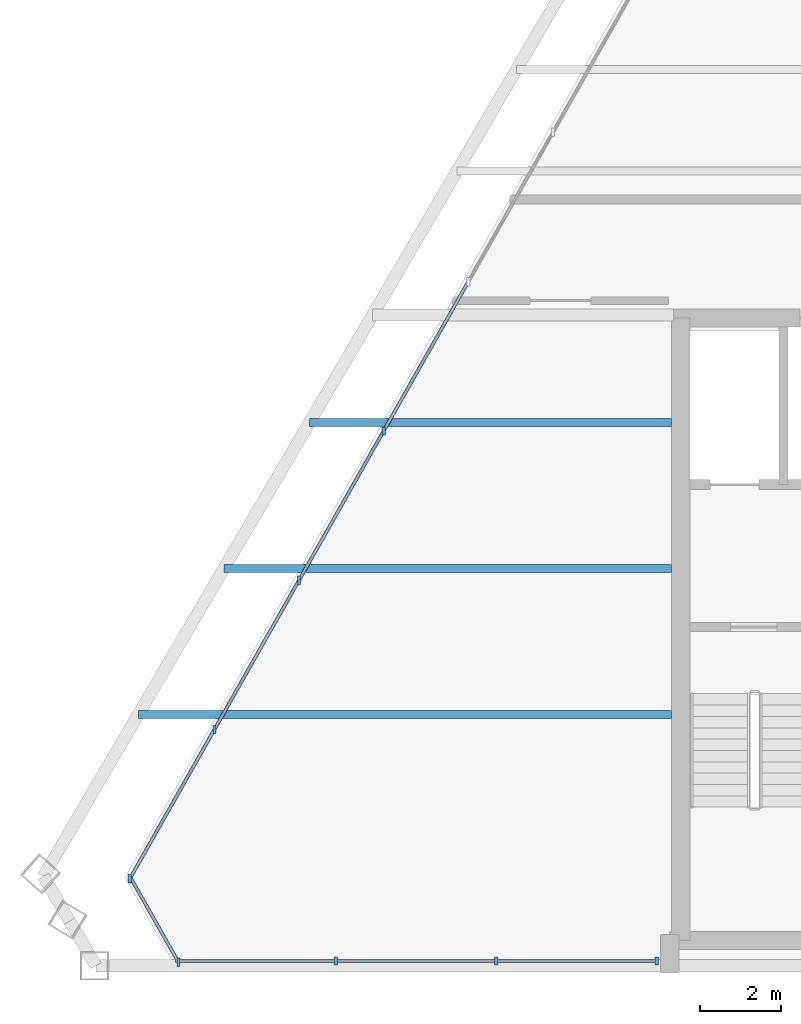
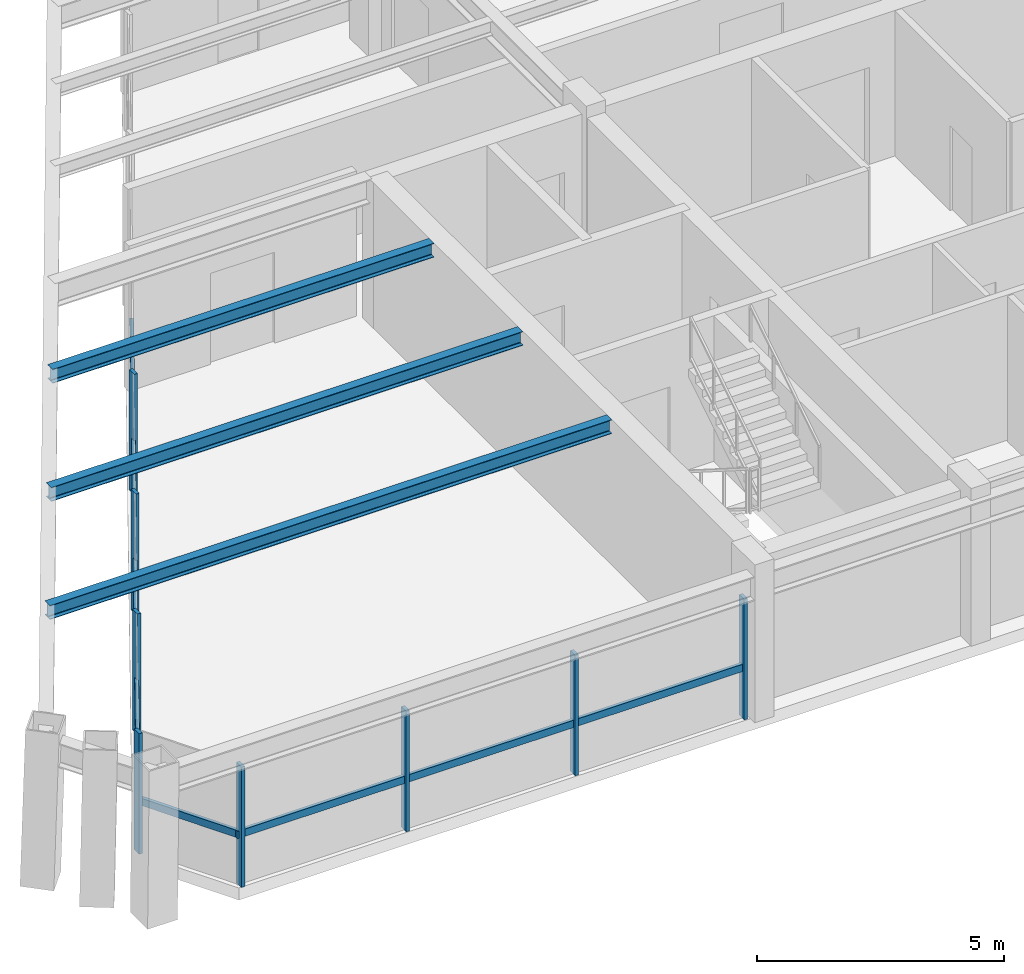
# One storey, part 2 of 12: 16 members, 3 beams, 3 elements without a shape of their own.
"""IFC4 building model written with IfcOpenShell, lengths in metres."""

import ifcopenshell
import ifcopenshell.guid

model = None  # the IFC model being written
_history = None  # IfcOwnerHistory: only IFC2X3 demands one
_inside = {}  # id of a spatial element -> (the spatial element, [elements in it])
_under = {}  # id of a project, library or spatial element -> (it, [spatial elements below it])
_declared = {}  # id of a project -> (the project, [libraries it declares])
_typed = {}  # id of a type object -> (the type object, [elements of that type])
_made_of = {}  # id of a material, layer set ... -> (it, [elements and type objects made of it])


def new_model(schema):
    """Start an empty IFC model of exactly this schema.

    Asked for "IFC4X3", IfcOpenShell would pick the latest addendum, in which some entities
    have other attributes; the version numbers below select the first issue.
    IFC2X3 requires an IfcOwnerHistory on every rooted entity: one is made here for all.
    """
    global model, _history
    if schema == "IFC4X3":
        model = ifcopenshell.file(schema_version=(4, 3, 0, 0))
    else:
        model = ifcopenshell.file(schema=schema)
    _inside.clear()
    _under.clear()
    _declared.clear()
    _typed.clear()
    _made_of.clear()
    _history = None
    if model.schema == "IFC2X3":
        org = make("IfcOrganization", Name="unknown")
        user = make(
            "IfcPersonAndOrganization",
            ThePerson=make("IfcPerson", FamilyName="unknown"),
            TheOrganization=org,
        )
        app = make(
            "IfcApplication",
            ApplicationDeveloper=org,
            Version="unknown",
            ApplicationFullName="unknown",
            ApplicationIdentifier="unknown",
        )
        _history = make(
            "IfcOwnerHistory",
            OwningUser=user,
            OwningApplication=app,
            ChangeAction="ADDED",
            CreationDate=0,
        )
    return model


def make(cls, **values):
    """One entity of the class cls with the attributes given. An attribute that is None is left unset."""
    return model.create_entity(
        cls, **{name: value for name, value in values.items() if value is not None}
    )


def rooted(cls, **values):
    """An entity with a GlobalId (a new one), such as an element, a storey or a relation."""
    return make(cls, GlobalId=ifcopenshell.guid.new(), OwnerHistory=_history, **values)


def si_unit(unit_type, name, prefix=None):
    """IfcSIUnit, for example si_unit("LENGTHUNIT", "METRE", prefix="MILLI")."""
    return make("IfcSIUnit", UnitType=unit_type, Prefix=prefix, Name=name)


def assignment(units):
    """IfcUnitAssignment: the units of a project."""
    return None if units is None else make("IfcUnitAssignment", Units=units)


def point(xyz):
    """IfcCartesianPoint."""
    return None if xyz is None else make("IfcCartesianPoint", Coordinates=xyz)


def direction(xyz):
    """IfcDirection."""
    return None if xyz is None else make("IfcDirection", DirectionRatios=xyz)


def frame(location, z_axis=None, x_axis=None):
    """IfcAxis2Placement3D, a coordinate frame: its origin and axes. An axis left out is left unset."""
    return make(
        "IfcAxis2Placement3D",
        Location=point(location),
        Axis=direction(z_axis),
        RefDirection=direction(x_axis),
    )


def frame_2d(location, x_axis=None):
    """IfcAxis2Placement2D, a coordinate frame in the plane: its origin and x axis."""
    return make(
        "IfcAxis2Placement2D", Location=point(location), RefDirection=direction(x_axis)
    )


def origin():
    """The frame at (0, 0, 0) with its axes left unset."""
    return frame((0.0, 0.0, 0.0))


def origin_2d():
    """The frame at (0, 0) in the plane with its x axis left unset."""
    return frame_2d((0.0, 0.0))


def place(relative_to, where):
    """IfcLocalPlacement: puts the frame where relative to a parent placement (None: the world)."""
    return make(
        "IfcLocalPlacement", PlacementRelTo=relative_to, RelativePlacement=where
    )


def context(
    kind, dimensions, precision=None, world=None, true_north=None, identifier=None
):
    """IfcGeometricRepresentationContext, for example the 3D "Model" context."""
    return make(
        "IfcGeometricRepresentationContext",
        ContextIdentifier=identifier,
        ContextType=kind,
        CoordinateSpaceDimension=dimensions,
        Precision=precision,
        WorldCoordinateSystem=world,
        TrueNorth=true_north,
    )


def subcontext(parent, identifier, kind, view, scale=None):
    """IfcGeometricRepresentationSubContext, for example "Body" below "Model"."""
    return make(
        "IfcGeometricRepresentationSubContext",
        ContextIdentifier=identifier,
        ContextType=kind,
        ParentContext=parent,
        TargetScale=scale,
        TargetView=view,
    )


def project(units=None, contexts=None):
    """IfcProject with its units and contexts."""
    return rooted(
        "IfcProject",
        Name="project",
        RepresentationContexts=contexts,
        UnitsInContext=assignment(units),
    )


def spatial(cls, under=None, at=None, **own):
    """A site, building, storey or space (cls), placed at a placement, below another one or the project."""
    s = rooted(cls, ObjectPlacement=at, **own)
    if under is not None:
        _under.setdefault(under.id(), (under, []))[1].append(s)
    return s


def profile(cls, at=None, kind="AREA", **sizes):
    """A parametric profile (cls). Its sizes go by their IFC names, for example OverallWidth=200.0."""
    return make(cls, ProfileType=kind, Position=at, **sizes)


def rectangle(**sizes):
    """IfcRectangleProfileDef."""
    return profile("IfcRectangleProfileDef", **sizes)


def i_section(**sizes):
    """IfcIShapeProfileDef."""
    return profile("IfcIShapeProfileDef", **sizes)


def extrude(swept, where, along, depth):
    """IfcExtrudedAreaSolid: the profile swept, set in the frame where, extruded along a direction by depth."""
    return make(
        "IfcExtrudedAreaSolid",
        SweptArea=swept,
        Position=where,
        ExtrudedDirection=direction(along),
        Depth=depth,
    )


def shape(context_of_items, identifier, shape_type, items):
    """IfcShapeRepresentation: the items that make up one representation, for example the "Body"."""
    return make(
        "IfcShapeRepresentation",
        ContextOfItems=context_of_items,
        RepresentationIdentifier=identifier,
        RepresentationType=shape_type,
        Items=items,
    )


def source(mapping_origin, context_of_items, identifier, shape_type, items):
    """IfcRepresentationMap: a shape defined once, which mapped items show again and again."""
    return make(
        "IfcRepresentationMap",
        MappingOrigin=mapping_origin,
        MappedRepresentation=shape(context_of_items, identifier, shape_type, items),
    )


def transform(
    local_origin,
    x_axis=None,
    y_axis=None,
    z_axis=None,
    scale=None,
    scale2=None,
    scale3=None,
    uniform=True,
):
    """IfcCartesianTransformationOperator3D, or its non-uniform kind. x_axis, y_axis, z_axis: its Axis1, 2, 3."""
    if uniform:
        return make(
            "IfcCartesianTransformationOperator3D",
            Axis1=direction(x_axis),
            Axis2=direction(y_axis),
            LocalOrigin=point(local_origin),
            Scale=scale,
            Axis3=direction(z_axis),
        )
    return make(
        "IfcCartesianTransformationOperator3DnonUniform",
        Axis1=direction(x_axis),
        Axis2=direction(y_axis),
        LocalOrigin=point(local_origin),
        Scale=scale,
        Axis3=direction(z_axis),
        Scale2=scale2,
        Scale3=scale3,
    )


def mapped(mapping_source, mapping_target):
    """IfcMappedItem: shows the shape of a source again, moved by a transform."""
    return make(
        "IfcMappedItem", MappingSource=mapping_source, MappingTarget=mapping_target
    )


def material(Name=None, Category=None):
    """IfcMaterial."""
    return make("IfcMaterial", Name=Name, Category=Category)


def material_profile(
    of_material, cross_section, Name=None, Category=None, Priority=None
):
    """IfcMaterialProfile: a cross section and its material."""
    return make(
        "IfcMaterialProfile",
        Name=Name,
        Material=of_material,
        Profile=cross_section,
        Priority=Priority,
        Category=Category,
    )


def profile_set(profiles, Name=None, composite=None):
    """IfcMaterialProfileSet."""
    return make(
        "IfcMaterialProfileSet",
        Name=Name,
        MaterialProfiles=profiles,
        CompositeProfile=composite,
    )


def made_of(thing, what):
    """Note that an element or type object is made of a material, layer set ...; save() writes the relation."""
    if what is not None:
        _made_of.setdefault(what.id(), (what, []))[1].append(thing)
    return thing


def type_object(cls, material=None, **own):
    """A type object (cls), such as IfcWallType, which elements share."""
    return made_of(rooted(cls, **own), material)


def type_shapes(of_type, sources):
    """Give a type object the sources (RepresentationMaps) that its elements show as mapped items."""
    of_type.RepresentationMaps = sources


def element(
    cls,
    number,
    at=None,
    inside=None,
    cuts=None,
    type_object=None,
    material=None,
    context=None,
    identifier="Body",
    shape_type=None,
    held_by="IfcProductDefinitionShape",
    body=None,
    shapes=None,
    **own,
):
    """One element of the class cls, such as IfcWall. Its Tag is "e" and its number.

    at: its placement. inside: the storey or other place that contains it. cuts: it is an
    opening in that element (IfcRelVoidsElement). A single representation is given by context,
    identifier, shape_type and body (its items); several are given by shapes. held_by: the class
    of the entity that holds the representations. save() writes the other relations.
    """
    e = rooted(cls, Tag="e%d" % number, ObjectPlacement=at, **own)
    if body is not None:
        shapes = [shape(context, identifier, shape_type, body)]
    if shapes is not None:
        e.Representation = make(held_by, Representations=shapes)
    if inside is not None:
        _inside.setdefault(inside.id(), (inside, []))[1].append(e)
    if cuts is not None:
        rooted(
            "IfcRelVoidsElement", RelatingBuildingElement=cuts, RelatedOpeningElement=e
        )
    if type_object is not None:
        _typed.setdefault(type_object.id(), (type_object, []))[1].append(e)
    return made_of(e, material)


def aggregate(whole, parts):
    """IfcRelAggregates: a whole, such as a stair, and the parts it consists of."""
    return rooted("IfcRelAggregates", RelatingObject=whole, RelatedObjects=parts)


def save(model, path):
    """Write the relations noted so far, then the file.

    IfcRelAggregates (storeys below a building ...), IfcRelContainedInSpatialStructure (elements
    in a storey), IfcRelDefinesByType, IfcRelAssociatesMaterial and IfcRelDeclares: one each for
    every whole, place, type object, material and project.
    """
    for whole, parts in _under.values():
        aggregate(whole, parts)
    for where, things in _inside.values():
        rooted(
            "IfcRelContainedInSpatialStructure",
            RelatedElements=things,
            RelatingStructure=where,
        )
    for kind, things in _typed.values():
        rooted("IfcRelDefinesByType", RelatedObjects=things, RelatingType=kind)
    for what, things in _made_of.values():
        rooted("IfcRelAssociatesMaterial", RelatedObjects=things, RelatingMaterial=what)
    for by, libraries in _declared.values():
        rooted("IfcRelDeclares", RelatingContext=by, RelatedDefinitions=libraries)
    model.write(path)


model = new_model("IFC4")

# Units and contexts
model_context = context("Model", 3, precision=1e-05, world=origin(), true_north=direction((0.0, 1.0)))
body_context = subcontext(model_context, "Body", "Model", "MODEL_VIEW")
ifc_project = project(units=[si_unit("LENGTHUNIT", "METRE"), si_unit("AREAUNIT", "SQUARE_METRE"), si_unit("VOLUMEUNIT", "CUBIC_METRE"), si_unit("PLANEANGLEUNIT", "RADIAN"), si_unit("MASSUNIT", "GRAM", prefix="KILO")], contexts=[model_context])

# Site, building, storey
site_placement = place(None, origin())
site = spatial("IfcSite", under=ifc_project, at=site_placement, CompositionType="ELEMENT")
building_placement = place(site_placement, origin())
building = spatial("IfcBuilding", under=site, at=building_placement, Name="Varnakhor Terracotta Tower", CompositionType="ELEMENT")
storey_placement = place(building_placement, frame((0.0, 0.0, 313.60009765625)))
storey = spatial("IfcBuildingStorey", under=building, at=storey_placement, Name="L82 Crown", CompositionType="ELEMENT", Elevation=313.60009765625)

# Beams
ifc_material_1 = material(Name="Steel S355", Category="steel")
ifc_material_profile_1 = material_profile(ifc_material_1, i_section(OverallWidth=0.202880859375, OverallDepth=0.346923828125, WebThickness=0.0078125, FlangeThickness=0.013427734375, FilletRadius=0.01806640625, at=origin_2d()), Name="W14X43")
ifc_profile_set_1 = profile_set([ifc_material_profile_1], Name="Steel S355")
beam_type = type_object("IfcBeamType", Name="JST-W14X43", PredefinedType="JOIST", material=ifc_profile_set_1)
shared_shape_1 = source(origin(), body_context, "Body", "SweptSolid", [
    extrude(i_section(OverallWidth=0.202880859375, OverallDepth=0.346923828125, WebThickness=0.0078125, FlangeThickness=0.013427734375, FilletRadius=0.01806640625, at=origin_2d()), origin(), (0.0, 0.0, 1.0), 13.14892578125),
])
beam_1_placement = place(storey_placement, frame((-23.7490234375, 6.199951171875, 3.426513671875), z_axis=(1.0, 0.0, 0.0), x_axis=(0.0, 1.0, 0.0)))
element("IfcBeam", 1, at=beam_1_placement, inside=storey, type_object=beam_type, Name="L82 Crown Floor Joist W1", PredefinedType="JOIST", context=body_context, shape_type="MappedRepresentation", body=[
    mapped(shared_shape_1, transform((0.0, 0.0, 0.0), scale=1.0)),
])
shared_shape_2 = source(origin(), body_context, "Body", "SweptSolid", [
    extrude(i_section(OverallWidth=0.202880859375, OverallDepth=0.346923828125, WebThickness=0.0078125, FlangeThickness=0.013427734375, FilletRadius=0.01806640625, at=origin_2d()), origin(), (0.0, 0.0, 1.0), 11.0380859375),
])
beam_2_placement = place(storey_placement, frame((-21.63818359375, 9.800048828125, 3.426513671875), z_axis=(1.0, 0.0, 0.0), x_axis=(0.0, 1.0, 0.0)))
element("IfcBeam", 2, at=beam_2_placement, inside=storey, type_object=beam_type, Name="L82 Crown Floor Joist W2", PredefinedType="JOIST", context=body_context, shape_type="MappedRepresentation", body=[
    mapped(shared_shape_2, transform((0.0, 0.0, 0.0), scale=1.0)),
])
shared_shape_3 = source(origin(), body_context, "Body", "SweptSolid", [
    extrude(i_section(OverallWidth=0.202880859375, OverallDepth=0.346923828125, WebThickness=0.0078125, FlangeThickness=0.013427734375, FilletRadius=0.01806640625, at=origin_2d()), origin(), (0.0, 0.0, 1.0), 8.92724609375),
])
beam_3_placement = place(storey_placement, frame((-19.52734375, 13.39990234375, 3.426513671875), z_axis=(1.0, 0.0, 0.0), x_axis=(0.0, 1.0, 0.0)))
element("IfcBeam", 3, at=beam_3_placement, inside=storey, type_object=beam_type, Name="L82 Crown Floor Joist W3", PredefinedType="JOIST", context=body_context, shape_type="MappedRepresentation", body=[
    mapped(shared_shape_3, transform((0.0, 0.0, 0.0), scale=1.0)),
])

# Curtain wall, members
ifc_material_2 = material(Name="Anodised Aluminium Curtain Wall System", Category="aluminium")
curtain_wall_type = type_object("IfcCurtainWallType", Name="CW-SYS-CROWN", PredefinedType="NOTDEFINED", material=ifc_material_2)
curtain_wall_1_placement = place(storey_placement, origin())
curtain_wall_1 = element("IfcCurtainWall", 4, at=curtain_wall_1_placement, inside=storey, type_object=curtain_wall_type, Name="L82 Crown Facet Curtain Wall 1", PredefinedType="NOTDEFINED")
ifc_material_3 = material(Name="Anodised Aluminium 6063-T6", Category="aluminium")
ifc_material_profile_2 = material_profile(ifc_material_3, rectangle(XDim=0.080078125, YDim=0.205078125, at=origin_2d()), Name="ALU MULLION 80x205")
ifc_profile_set_2 = profile_set([ifc_material_profile_2], Name="Anodised Aluminium 6063-T6")
member_type_1 = type_object("IfcMemberType", Name="CWM-06", PredefinedType="MULLION", material=ifc_profile_set_2)
shared_shape_4 = source(origin(), body_context, "Body", "SweptSolid", [
    extrude(rectangle(XDim=0.080078125, YDim=0.205078125, at=origin_2d()), origin(), (0.0, 0.0, 1.0), 2.97998046875),
])
type_shapes(member_type_1, [shared_shape_4])
member_1_placement = place(storey_placement, frame((-23.96240234375, 2.142822265625, 0.0), z_axis=(0.0, 0.0, 1.0), x_axis=(1.0, 0.0, 0.0)))
member_1 = element("IfcMember", 5, at=member_1_placement, type_object=member_type_1, Name="L82 Crown Facet Curtain Wall 1 Mullion 1", PredefinedType="MULLION", context=body_context, shape_type="MappedRepresentation", body=[
    mapped(shared_shape_4, transform((0.0, 0.0, 0.0), scale=1.0)),
])
member_2_placement = place(storey_placement, frame((-21.875, 5.824951171875, 0.0), z_axis=(0.0, 0.0, 1.0), x_axis=(1.0, 0.0, 0.0)))
member_2 = element("IfcMember", 6, at=member_2_placement, type_object=member_type_1, Name="L82 Crown Facet Curtain Wall 1 Mullion 2", PredefinedType="MULLION", context=body_context, shape_type="MappedRepresentation", body=[
    mapped(shared_shape_4, transform((0.0, 0.0, 0.0), scale=1.0)),
])
member_3_placement = place(storey_placement, frame((-19.78759765625, 9.507080078125, 0.0), z_axis=(0.0, 0.0, 1.0), x_axis=(1.0, 0.0, 0.0)))
member_3 = element("IfcMember", 7, at=member_3_placement, type_object=member_type_1, Name="L82 Crown Facet Curtain Wall 1 Mullion 3", PredefinedType="MULLION", context=body_context, shape_type="MappedRepresentation", body=[
    mapped(shared_shape_4, transform((0.0, 0.0, 0.0), scale=1.0)),
])
member_4_placement = place(storey_placement, frame((-17.700439453125, 13.18896484375, 0.0), z_axis=(0.0, 0.0, 1.0), x_axis=(1.0, 0.0, 0.0)))
member_4 = element("IfcMember", 8, at=member_4_placement, type_object=member_type_1, Name="L82 Crown Facet Curtain Wall 1 Mullion 4", PredefinedType="MULLION", context=body_context, shape_type="MappedRepresentation", body=[
    mapped(shared_shape_4, transform((0.0, 0.0, 0.0), scale=1.0)),
])

curtain_wall_2_placement = place(storey_placement, origin())
curtain_wall_2 = element("IfcCurtainWall", 9, at=curtain_wall_2_placement, inside=storey, type_object=curtain_wall_type, Name="L82 Crown South Wing Curtain Wall SSW", PredefinedType="NOTDEFINED")
member_5_placement = place(storey_placement, frame((-10.969970703125, 0.1201171875, 0.0), z_axis=(0.0, 0.0, 1.0), x_axis=(1.0, 0.0, 0.0)))
member_5 = element("IfcMember", 10, at=member_5_placement, type_object=member_type_1, Name="L82 Crown South Wing Curtain Wall SSW Mullion 1", PredefinedType="MULLION", context=body_context, shape_type="MappedRepresentation", body=[
    mapped(shared_shape_4, transform((0.0, 0.0, 0.0), scale=1.0)),
])
member_6_placement = place(storey_placement, frame((-14.926025390625, 0.1201171875, 0.0), z_axis=(0.0, 0.0, 1.0), x_axis=(1.0, 0.0, 0.0)))
member_6 = element("IfcMember", 11, at=member_6_placement, type_object=member_type_1, Name="L82 Crown South Wing Curtain Wall SSW Mullion 2", PredefinedType="MULLION", context=body_context, shape_type="MappedRepresentation", body=[
    mapped(shared_shape_4, transform((0.0, 0.0, 0.0), scale=1.0)),
])
member_7_placement = place(storey_placement, frame((-18.8818359375, 0.1201171875, 0.0), z_axis=(0.0, 0.0, 1.0), x_axis=(1.0, 0.0, 0.0)))
member_7 = element("IfcMember", 12, at=member_7_placement, type_object=member_type_1, Name="L82 Crown South Wing Curtain Wall SSW Mullion 3", PredefinedType="MULLION", context=body_context, shape_type="MappedRepresentation", body=[
    mapped(shared_shape_4, transform((0.0, 0.0, 0.0), scale=1.0)),
])

# Curtain wall, member
curtain_wall_3_placement = place(storey_placement, origin())
curtain_wall_3 = element("IfcCurtainWall", 13, at=curtain_wall_3_placement, inside=storey, type_object=curtain_wall_type, Name="L82 Crown Facet Curtain Wall 6", PredefinedType="NOTDEFINED")
member_8_placement = place(storey_placement, frame((-22.75830078125, 0.085205078125, 0.0), z_axis=(0.0, 0.0, 1.0), x_axis=(1.0, 0.0, 0.0)))
member_8 = element("IfcMember", 14, at=member_8_placement, type_object=member_type_1, Name="L82 Crown Facet Curtain Wall 6 Mullion 1", PredefinedType="MULLION", context=body_context, shape_type="MappedRepresentation", body=[
    mapped(shared_shape_4, transform((0.0, 0.0, 0.0), scale=1.0)),
])

# Member
ifc_material_profile_3 = material_profile(ifc_material_3, rectangle(XDim=0.080078125, YDim=0.179931640625, at=origin_2d()), Name="ALU TRANSOM 80x180")
ifc_profile_set_3 = profile_set([ifc_material_profile_3], Name="Anodised Aluminium 6063-T6")
member_type_2 = type_object("IfcMemberType", Name="CWT-06", PredefinedType="USERDEFINED", material=ifc_profile_set_3)
shared_shape_5 = source(origin(), body_context, "Body", "SweptSolid", [
    extrude(rectangle(XDim=0.080078125, YDim=0.179931640625, at=origin_2d()), origin(), (0.0, 0.0, 1.0), 4.232666015625),
])
member_9_placement = place(storey_placement, frame((-23.96240234375, 2.142822265625, 1.25146484375), z_axis=(0.493166831222, 0.86993475421, 0.0), x_axis=(-0.86993475421, 0.493166831222, 0.0)))
member_9 = element("IfcMember", 15, at=member_9_placement, type_object=member_type_2, Name="L82 Crown Facet Curtain Wall 1 Transom 1", ObjectType="TRANSOM", PredefinedType="USERDEFINED", context=body_context, shape_type="MappedRepresentation", body=[
    mapped(shared_shape_5, transform((0.0, 0.0, 0.0), scale=1.0)),
])

member_10_placement = place(storey_placement, frame((-21.875, 5.824951171875, 1.25146484375), z_axis=(0.493166831222, 0.86993475421, 0.0), x_axis=(-0.86993475421, 0.493166831222, 0.0)))
member_10 = element("IfcMember", 16, at=member_10_placement, type_object=member_type_2, Name="L82 Crown Facet Curtain Wall 1 Transom 2", ObjectType="TRANSOM", PredefinedType="USERDEFINED", context=body_context, shape_type="MappedRepresentation", body=[
    mapped(shared_shape_5, transform((0.0, 0.0, 0.0), scale=1.0)),
])

member_11_placement = place(storey_placement, frame((-17.700439453125, 13.18896484375, 1.25146484375), z_axis=(0.493166831222, 0.86993475421, 0.0), x_axis=(-0.86993475421, 0.493166831222, 0.0)))
member_11 = element("IfcMember", 17, at=member_11_placement, type_object=member_type_2, Name="L82 Crown Facet Curtain Wall 1 Transom 4", ObjectType="TRANSOM", PredefinedType="USERDEFINED", context=body_context, shape_type="MappedRepresentation", body=[
    mapped(shared_shape_5, transform((0.0, 0.0, 0.0), scale=1.0)),
])

shared_shape_6 = source(origin(), body_context, "Body", "SweptSolid", [
    extrude(rectangle(XDim=0.080078125, YDim=0.179931640625, at=origin_2d()), origin(), (0.0, 0.0, 1.0), 4.232421875),
])
member_12_placement = place(storey_placement, frame((-19.78759765625, 9.507080078125, 1.25146484375), z_axis=(0.493147924111, 0.869945472397, 0.0), x_axis=(-0.869945472397, 0.493147924111, 0.0)))
member_12 = element("IfcMember", 18, at=member_12_placement, type_object=member_type_2, Name="L82 Crown Facet Curtain Wall 1 Transom 3", ObjectType="TRANSOM", PredefinedType="USERDEFINED", context=body_context, shape_type="MappedRepresentation", body=[
    mapped(shared_shape_6, transform((0.0, 0.0, 0.0), scale=1.0)),
])

aggregate(curtain_wall_1, [member_1, member_9, member_2, member_10, member_3, member_12, member_4, member_11])

shared_shape_7 = source(origin(), body_context, "Body", "SweptSolid", [
    extrude(rectangle(XDim=0.080078125, YDim=0.179931640625, at=origin_2d()), origin(), (0.0, 0.0, 1.0), 3.9560546875),
])
member_13_placement = place(storey_placement, frame((-10.969970703125, 0.1201171875, 1.25146484375), z_axis=(-1.0, 0.0, 0.0), x_axis=(0.0, -1.0, 0.0)))
member_13 = element("IfcMember", 19, at=member_13_placement, type_object=member_type_2, Name="L82 Crown South Wing Curtain Wall SSW Transom 1", ObjectType="TRANSOM", PredefinedType="USERDEFINED", context=body_context, shape_type="MappedRepresentation", body=[
    mapped(shared_shape_7, transform((0.0, 0.0, 0.0), scale=1.0)),
])

member_14_placement = place(storey_placement, frame((-18.8818359375, 0.1201171875, 1.25146484375), z_axis=(-1.0, 0.0, 0.0), x_axis=(0.0, -1.0, 0.0)))
member_14 = element("IfcMember", 20, at=member_14_placement, type_object=member_type_2, Name="L82 Crown South Wing Curtain Wall SSW Transom 3", ObjectType="TRANSOM", PredefinedType="USERDEFINED", context=body_context, shape_type="MappedRepresentation", body=[
    mapped(shared_shape_7, transform((0.0, 0.0, 0.0), scale=1.0)),
])

shared_shape_8 = source(origin(), body_context, "Body", "SweptSolid", [
    extrude(rectangle(XDim=0.080078125, YDim=0.179931640625, at=origin_2d()), origin(), (0.0, 0.0, 1.0), 3.955810546875),
])
member_15_placement = place(storey_placement, frame((-14.926025390625, 0.1201171875, 1.25146484375), z_axis=(-1.0, 0.0, 0.0), x_axis=(0.0, -1.0, 0.0)))
member_15 = element("IfcMember", 21, at=member_15_placement, type_object=member_type_2, Name="L82 Crown South Wing Curtain Wall SSW Transom 2", ObjectType="TRANSOM", PredefinedType="USERDEFINED", context=body_context, shape_type="MappedRepresentation", body=[
    mapped(shared_shape_8, transform((0.0, 0.0, 0.0), scale=1.0)),
])

aggregate(curtain_wall_2, [member_5, member_13, member_6, member_15, member_7, member_14])

shared_shape_9 = source(origin(), body_context, "Body", "SweptSolid", [
    extrude(rectangle(XDim=0.080078125, YDim=0.179931640625, at=origin_2d()), origin(), (0.0, 0.0, 1.0), 2.44140625),
])
member_16_placement = place(storey_placement, frame((-22.75830078125, 0.085205078125, 1.25146484375), z_axis=(-0.493206843292, 0.869912070114, 0.0), x_axis=(-0.869912070114, -0.493206843292, 0.0)))
member_16 = element("IfcMember", 22, at=member_16_placement, type_object=member_type_2, Name="L82 Crown Facet Curtain Wall 6 Transom 1", ObjectType="TRANSOM", PredefinedType="USERDEFINED", context=body_context, shape_type="MappedRepresentation", body=[
    mapped(shared_shape_9, transform((0.0, 0.0, 0.0), scale=1.0)),
])

aggregate(curtain_wall_3, [member_8, member_16])

save(model, "model.ifc")
